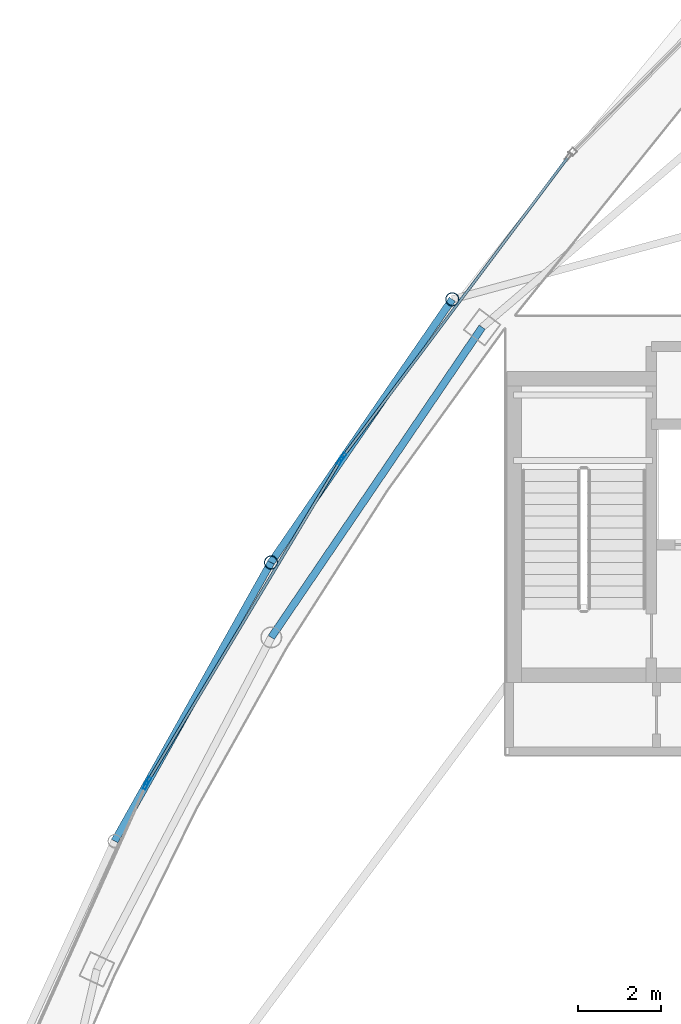
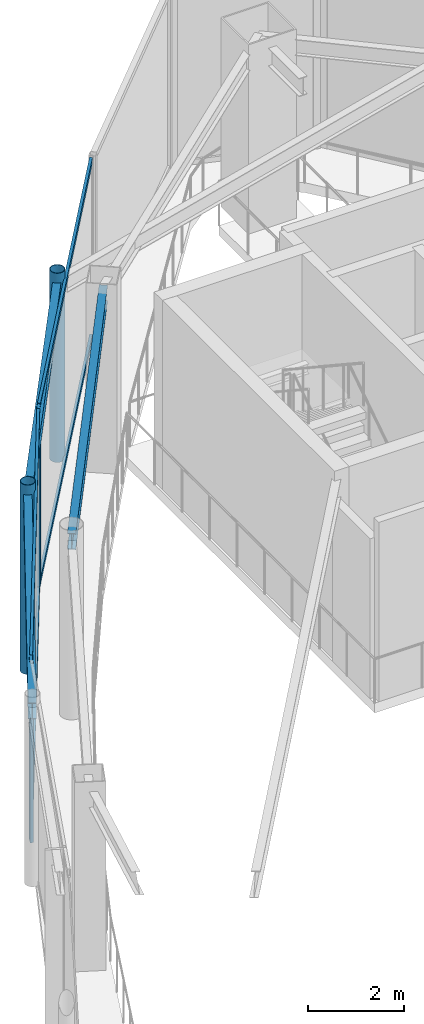
# One storey, part 8 of 19: 10 members, 3 beams, 3 elements without a shape of their own.
"""IFC4 building model written with IfcOpenShell, lengths in metres."""

from ifc_helpers import new_model, si_unit, direction, frame, origin, origin_2d, place, context, subcontext, project, spatial, hollow_rectangle, hollow_circle, i_section, extrude, material, layer, layer_set, material_profile, profile_set, type_object, element, aggregate, save


model = new_model("IFC4")

# Units and contexts
model_context = context("Model", 3, precision=1e-05, world=origin(), true_north=direction((0.0, 1.0)))
body_context = subcontext(model_context, "Body", "Model", "MODEL_VIEW")
ifc_project = project(units=[si_unit("LENGTHUNIT", "METRE"), si_unit("AREAUNIT", "SQUARE_METRE"), si_unit("VOLUMEUNIT", "CUBIC_METRE"), si_unit("PLANEANGLEUNIT", "RADIAN"), si_unit("MASSUNIT", "GRAM", prefix="KILO")], contexts=[model_context])

# Site, building, storey
site_placement = place(None, origin())
site = spatial("IfcSite", under=ifc_project, at=site_placement, CompositionType="ELEMENT")
building_placement = place(site_placement, origin())
building = spatial("IfcBuilding", under=site, at=building_placement, Name="Orvanel Arch Residences", CompositionType="ELEMENT")
storey_placement = place(building_placement, frame((0.0, 0.0, 295.699951171875)))
storey = spatial("IfcBuildingStorey", under=building, at=storey_placement, Name="L83", CompositionType="ELEMENT", Elevation=295.699951171875)

# Curtain wall, member
ifc_material_1 = material(Name="Bronze-anodised aluminium AA6063-T6", Category="aluminium")
ifc_layer = layer(ifc_material_1, 0.2099609375)
ifc_layer_set = layer_set([ifc_layer], Name="Bronze-anodised aluminium AA6063-T6")
curtain_wall_type = type_object("IfcCurtainWallType", Name="CW7-TOP-SYS", PredefinedType="NOTDEFINED", material=ifc_layer_set)
curtain_wall_1_placement = place(storey_placement, origin())
curtain_wall_1 = element("IfcCurtainWall", 1, at=curtain_wall_1_placement, inside=storey, type_object=curtain_wall_type, Name="L83 CW7-TOP-SYS Unitised Curtain Wall", PredefinedType="NOTDEFINED")
ifc_material_profile_1 = material_profile(ifc_material_1, hollow_rectangle(XDim=0.074951171875, YDim=0.199951171875, WallThickness=0.0048828125, at=origin_2d()), Name="ALU200x75x5")
ifc_profile_set_1 = profile_set([ifc_material_profile_1], Name="Bronze-anodised aluminium AA6063-T6")
member_type_1 = type_object("IfcMemberType", Name="MUL-200x75", PredefinedType="MULLION", material=ifc_profile_set_1)
member_1_placement = place(storey_placement, frame((22.29052734375, 31.988037109375, 0.0), z_axis=(0.0, 0.0, 1.0), x_axis=(0.799341985759, -0.600876351509, 0.0)))
member_1 = element("IfcMember", 2, at=member_1_placement, type_object=member_type_1, Name="CW-S7 mullion 2", PredefinedType="MULLION", context=body_context, shape_type="SweptSolid", body=[
    extrude(hollow_rectangle(XDim=0.074951171875, YDim=0.199951171875, WallThickness=0.0048828125, at=origin_2d()), origin(), (0.0, 0.0, 1.0), 4.550048828125),
])

# Curtain wall, members
curtain_wall_2_placement = place(storey_placement, origin())
curtain_wall_2 = element("IfcCurtainWall", 3, at=curtain_wall_2_placement, inside=storey, type_object=curtain_wall_type, Name="L83 CW7-TOP-SYS Unitised Curtain Wall", PredefinedType="NOTDEFINED")
member_2_placement = place(storey_placement, frame((22.226806640625, 31.892822265625, 0.0), z_axis=(0.0, 0.0, 1.0), x_axis=(0.857522096821, -0.514447133788, 0.0)))
member_2 = element("IfcMember", 4, at=member_2_placement, type_object=member_type_1, Name="CW-S7 mullion 1", PredefinedType="MULLION", context=body_context, shape_type="SweptSolid", body=[
    extrude(hollow_rectangle(XDim=0.074951171875, YDim=0.199951171875, WallThickness=0.0048828125, at=origin_2d()), origin(), (0.0, 0.0, 1.0), 4.550048828125),
])
member_3_placement = place(storey_placement, frame((17.597412109375, 24.17626953125, 0.0), z_axis=(0.0, 0.0, 1.0), x_axis=(0.857522096821, -0.514447133788, 0.0)))
member_3 = element("IfcMember", 5, at=member_3_placement, type_object=member_type_1, Name="CW-S7 mullion 2", PredefinedType="MULLION", context=body_context, shape_type="SweptSolid", body=[
    extrude(hollow_rectangle(XDim=0.074951171875, YDim=0.199951171875, WallThickness=0.0048828125, at=origin_2d()), origin(), (0.0, 0.0, 1.0), 4.550048828125),
])

# Curtain wall, member
curtain_wall_3_placement = place(storey_placement, origin())
curtain_wall_3 = element("IfcCurtainWall", 6, at=curtain_wall_3_placement, inside=storey, type_object=curtain_wall_type, Name="L83 CW7-TOP-SYS Unitised Curtain Wall", PredefinedType="NOTDEFINED")
member_4_placement = place(storey_placement, frame((17.544677734375, 24.07470703125, 0.0), z_axis=(0.0, 0.0, 1.0), x_axis=(0.912376147447, -0.40935286193, 0.0)))
member_4 = element("IfcMember", 7, at=member_4_placement, type_object=member_type_1, Name="CW-S7 mullion 1", PredefinedType="MULLION", context=body_context, shape_type="SweptSolid", body=[
    extrude(hollow_rectangle(XDim=0.074951171875, YDim=0.199951171875, WallThickness=0.0048828125, at=origin_2d()), origin(), (0.0, 0.0, 1.0), 4.550048828125),
])
aggregate(curtain_wall_3, [member_4])

# Beams
ifc_material_2 = material(Name="Structural steel AS/NZS 3679.1 Grade 300 (300 MPa)", Category="steel")
ifc_material_profile_2 = material_profile(ifc_material_2, i_section(OverallWidth=0.177978515625, OverallDepth=0.406005859375, WebThickness=0.0078125, FlangeThickness=0.0126953125, at=origin_2d()), Name="410UB59.7")
ifc_profile_set_2 = profile_set([ifc_material_profile_2], Name="Structural steel AS/NZS 3679.1 Grade 300 (300 MPa)")
beam_type_1 = type_object("IfcBeamType", Name="OB-410UB", PredefinedType="SPANDREL", material=ifc_profile_set_2)
beam_1_placement = place(storey_placement, frame((25.64794921875, 35.113037109375, 4.34716796875), z_axis=(-0.562154793153, -0.827032035978, 0.0), x_axis=(0.827032035978, -0.562154793153, 0.0)))
element("IfcBeam", 8, at=beam_1_placement, inside=storey, type_object=beam_type_1, Name="L83 Perimeter Spandrel Beam 11", PredefinedType="SPANDREL", context=body_context, shape_type="SweptSolid", body=[
    extrude(i_section(OverallWidth=0.177978515625, OverallDepth=0.406005859375, WebThickness=0.0078125, FlangeThickness=0.0126953125, at=origin_2d()), origin(), (0.0, 0.0, 1.0), 9.03466796875),
])
ifc_material_profile_3 = material_profile(ifc_material_2, i_section(OverallWidth=0.177978515625, OverallDepth=0.406005859375, WebThickness=0.0078125, FlangeThickness=0.0126953125, at=origin_2d()), Name="410UB59.7")
ifc_profile_set_3 = profile_set([ifc_material_profile_3], Name="Structural steel AS/NZS 3679.1 Grade 300 (300 MPa)")
beam_type_2 = type_object("IfcBeamType", Name="OB-410UB-EXT", PredefinedType="SPANDREL", material=ifc_profile_set_3)
beam_2_placement = place(storey_placement, frame((24.929931640625, 35.785888671875, 4.34716796875), z_axis=(-0.567346812798, -0.823478957842, 0.0), x_axis=(0.823478957842, -0.567346812798, 0.0)))
element("IfcBeam", 9, at=beam_2_placement, inside=storey, type_object=beam_type_2, Name="L83 Outer Perimeter Floor Ring Beam 01", PredefinedType="SPANDREL", context=body_context, shape_type="SweptSolid", body=[
    extrude(i_section(OverallWidth=0.177978515625, OverallDepth=0.406005859375, WebThickness=0.0078125, FlangeThickness=0.0126953125, at=origin_2d()), origin(), (0.0, 0.0, 1.0), 7.698974609375),
])
beam_3_placement = place(storey_placement, frame((20.56201171875, 29.446044921875, 4.34716796875), z_axis=(-0.489422203707, -0.872046963482, 0.0), x_axis=(0.872046963482, -0.489422203707, 0.0)))
element("IfcBeam", 10, at=beam_3_placement, inside=storey, type_object=beam_type_2, Name="L83 Outer Perimeter Floor Ring Beam 02", PredefinedType="SPANDREL", context=body_context, shape_type="SweptSolid", body=[
    extrude(i_section(OverallWidth=0.177978515625, OverallDepth=0.406005859375, WebThickness=0.0078125, FlangeThickness=0.0126953125, at=origin_2d()), origin(), (0.0, 0.0, 1.0), 7.697021484375),
])

# Members
ifc_material_3 = material(Name="Structural steel AS/NZS 1163 C350L0 (Grade 350)", Category="steel")
ifc_material_profile_4 = material_profile(ifc_material_3, hollow_circle(Radius=0.162109375, WallThickness=0.0126953125, at=origin_2d()), Name="CHS324x12.7")
ifc_profile_set_4 = profile_set([ifc_material_profile_4], Name="Structural steel AS/NZS 1163 C350L0 (Grade 350)")
member_type_2 = type_object("IfcMemberType", Name="ST-324CHS-EXT", PredefinedType="STRUT", material=ifc_profile_set_4)
for number, where, z_axis, x_axis, name in (
    (11, (24.929931640625, 35.785888671875, 0.0), (0.0, 0.0, 1.0), (1.0, 0.0, 0.0), "L83 Outer Perimeter Frame Post 01"),
    (12, (20.56201171875, 29.446044921875, 0.0), (0.0, 0.0, 1.0), (1.0, 0.0, 0.0), "L83 Outer Perimeter Frame Post 02"),
):
    element("IfcMember", number, at=place(storey_placement, frame(where, z_axis=z_axis, x_axis=x_axis)), inside=storey, type_object=member_type_2, Name=name, PredefinedType="STRUT", context=body_context, shape_type="SweptSolid", body=[
        extrude(hollow_circle(Radius=0.162109375, WallThickness=0.0126953125, at=origin_2d()), origin(), (0.0, 0.0, 1.0), 4.800048828125),
    ])

# Member
ifc_material_profile_5 = material_profile(ifc_material_1, hollow_rectangle(XDim=0.06494140625, YDim=0.14990234375, WallThickness=0.00390625, at=origin_2d()), Name="ALU150x65x4")
ifc_profile_set_5 = profile_set([ifc_material_profile_5], Name="Bronze-anodised aluminium AA6063-T6")
member_type_3 = type_object("IfcMemberType", Name="TRN-150x65", PredefinedType="USERDEFINED", material=ifc_profile_set_5)
member_5_placement = place(storey_placement, frame((27.7060546875, 39.192138671875, 0.032470703125), z_axis=(-0.600891851957, -0.799330333624, 0.0), x_axis=(0.799330333624, -0.600891851957, 0.0)))
member_5 = element("IfcMember", 13, at=member_5_placement, type_object=member_type_3, Name="CW-S7 transom 1.1", ObjectType="TRANSOM", PredefinedType="USERDEFINED", context=body_context, shape_type="SweptSolid", body=[
    extrude(hollow_rectangle(XDim=0.06494140625, YDim=0.14990234375, WallThickness=0.00390625, at=origin_2d()), origin(), (0.0, 0.0, 1.0), 8.97509765625),
])

member_6_placement = place(storey_placement, frame((27.7060546875, 39.192138671875, 4.517578125), z_axis=(-0.600891851957, -0.799330333624, 0.0), x_axis=(0.799330333624, -0.600891851957, 0.0)))
member_6 = element("IfcMember", 14, at=member_6_placement, type_object=member_type_3, Name="CW-S7 transom 1.2", ObjectType="TRANSOM", PredefinedType="USERDEFINED", context=body_context, shape_type="SweptSolid", body=[
    extrude(hollow_rectangle(XDim=0.06494140625, YDim=0.14990234375, WallThickness=0.00390625, at=origin_2d()), origin(), (0.0, 0.0, 1.0), 8.97509765625),
])

aggregate(curtain_wall_1, [member_1, member_5, member_6])

member_7_placement = place(storey_placement, frame((22.20751953125, 31.860595703125, 0.032470703125), z_axis=(-0.514447475071, -0.857521892078, 0.0), x_axis=(0.857521892078, -0.514447475071, 0.0)))
member_7 = element("IfcMember", 15, at=member_7_placement, type_object=member_type_3, Name="CW-S7 transom 1.1", ObjectType="TRANSOM", PredefinedType="USERDEFINED", context=body_context, shape_type="SweptSolid", body=[
    extrude(hollow_rectangle(XDim=0.06494140625, YDim=0.14990234375, WallThickness=0.00390625, at=origin_2d()), origin(), (0.0, 0.0, 1.0), 8.923828125),
])

member_8_placement = place(storey_placement, frame((22.20751953125, 31.860595703125, 4.517578125), z_axis=(-0.514447475071, -0.857521892078, 0.0), x_axis=(0.857521892078, -0.514447475071, 0.0)))
member_8 = element("IfcMember", 16, at=member_8_placement, type_object=member_type_3, Name="CW-S7 transom 1.2", ObjectType="TRANSOM", PredefinedType="USERDEFINED", context=body_context, shape_type="SweptSolid", body=[
    extrude(hollow_rectangle(XDim=0.06494140625, YDim=0.14990234375, WallThickness=0.00390625, at=origin_2d()), origin(), (0.0, 0.0, 1.0), 8.923828125),
])

aggregate(curtain_wall_2, [member_2, member_3, member_7, member_8])

save(model, "model.ifc")
